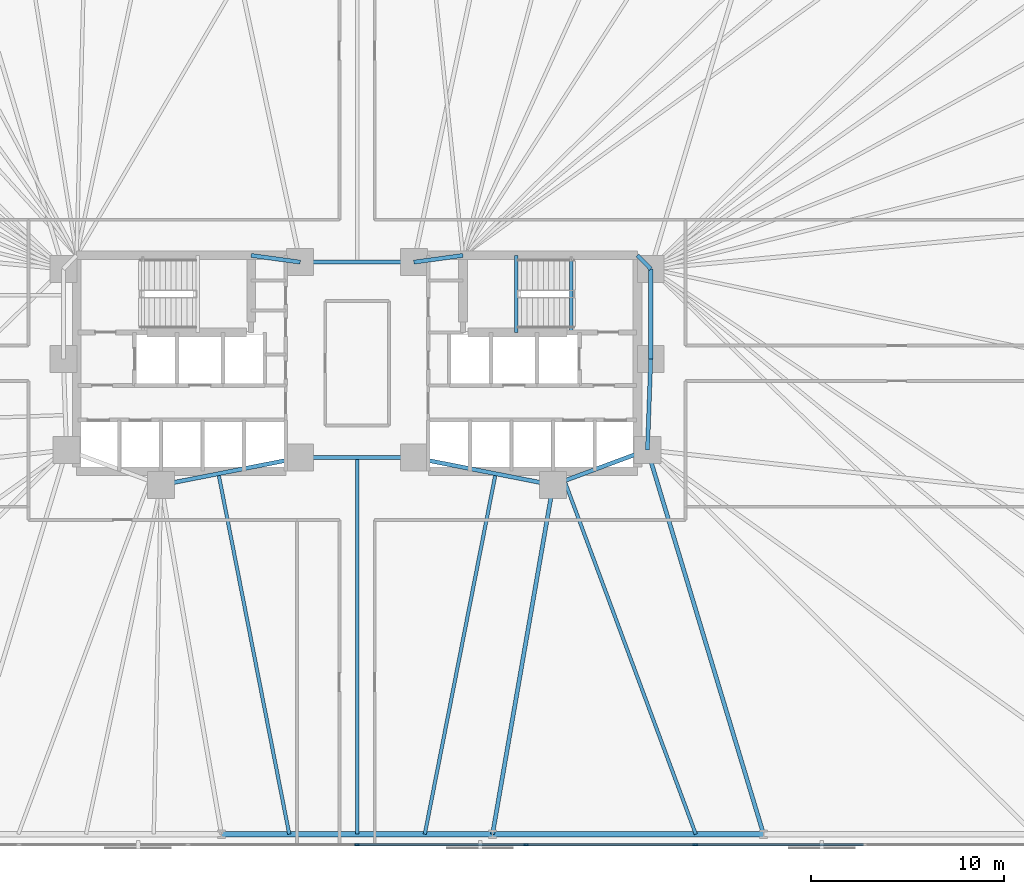
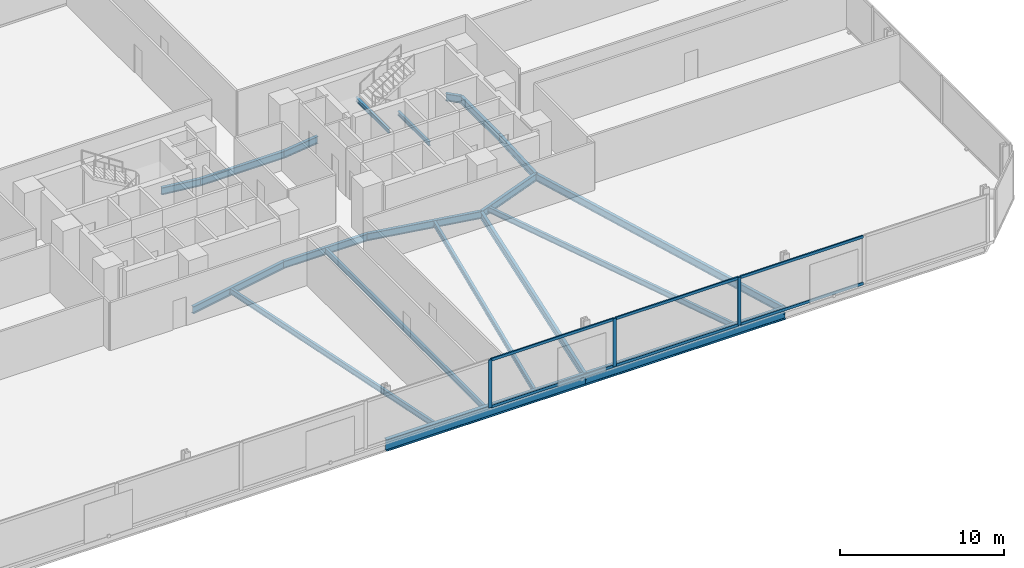
# One storey, part 7 of 16: 20 beams, 9 members, 1 element without a shape of its own.
"""IFC4 building model written with IfcOpenShell, lengths in metres."""

from ifc_helpers import new_model, si_unit, direction, frame, origin, origin_2d, place, context, subcontext, project, spatial, rectangle, i_section, extrude, material, material_profile, profile_set, type_object, element, aggregate, save


model = new_model("IFC4")

# Units and contexts
model_context = context("Model", 3, precision=1e-05, world=origin(), true_north=direction((0.0, 1.0)))
body_context = subcontext(model_context, "Body", "Model", "MODEL_VIEW")
ifc_project = project(units=[si_unit("LENGTHUNIT", "METRE"), si_unit("AREAUNIT", "SQUARE_METRE"), si_unit("VOLUMEUNIT", "CUBIC_METRE"), si_unit("PLANEANGLEUNIT", "RADIAN"), si_unit("MASSUNIT", "GRAM", prefix="KILO")], contexts=[model_context])

# Site, building, storey
site_placement = place(None, origin())
site = spatial("IfcSite", under=ifc_project, at=site_placement, CompositionType="ELEMENT")
building_placement = place(site_placement, origin())
building = spatial("IfcBuilding", under=site, at=building_placement, Name="Menara Jurai Vektor", CompositionType="ELEMENT")
storey_placement = place(building_placement, frame((0.0, 0.0, 67.39990234375)))
storey = spatial("IfcBuildingStorey", under=building, at=storey_placement, Name="L16", CompositionType="ELEMENT", Elevation=67.39990234375)

# Curtain wall, members
ifc_material_1 = material(Name="Anodised Pale Aluminium & Low-E Double Glazing", Category="aluminium")
curtain_wall_type = type_object("IfcCurtainWallType", Name="CW-BLK1", PredefinedType="NOTDEFINED", material=ifc_material_1)
curtain_wall_placement = place(storey_placement, origin())
curtain_wall = element("IfcCurtainWall", 1, at=curtain_wall_placement, inside=storey, type_object=curtain_wall_type, Name="Unitised Curtain Wall L16 F01", PredefinedType="NOTDEFINED")
ifc_material_2 = material(Name="Anodised Pale Aluminium Mullion", Category="aluminium")
ifc_material_profile_1 = material_profile(ifc_material_2, rectangle(XDim=0.094970703125, YDim=0.239990234375, at=origin_2d()), Name="ALU MUL 95x240")
ifc_profile_set_1 = profile_set([ifc_material_profile_1], Name="Anodised Pale Aluminium Mullion")
member_type_1 = type_object("IfcMemberType", Name="CW-BLK1-MUL", PredefinedType="MULLION", material=ifc_profile_set_1)
member_1_placement = place(storey_placement, frame((0.0, -25.0, 0.0), z_axis=(0.0, 0.0, 1.0), x_axis=(0.0, 1.0, 0.0)))
member_1 = element("IfcMember", 2, at=member_1_placement, type_object=member_type_1, Name="CW-01 mullion 5", PredefinedType="MULLION", context=body_context, shape_type="SweptSolid", body=[
    extrude(rectangle(XDim=0.094970703125, YDim=0.239990234375, at=origin_2d()), origin(), (0.0, 0.0, 1.0), 3.5751953125),
])
member_2_placement = place(storey_placement, frame((8.780029296875, -25.0, 0.0), z_axis=(0.0, 0.0, 1.0), x_axis=(0.0, 1.0, 0.0)))
member_2 = element("IfcMember", 3, at=member_2_placement, type_object=member_type_1, Name="CW-01 mullion 6", PredefinedType="MULLION", context=body_context, shape_type="SweptSolid", body=[
    extrude(rectangle(XDim=0.094970703125, YDim=0.239990234375, at=origin_2d()), origin(), (0.0, 0.0, 1.0), 3.5751953125),
])
member_3_placement = place(storey_placement, frame((17.56005859375, -25.0, 0.0), z_axis=(0.0, 0.0, 1.0), x_axis=(0.0, 1.0, 0.0)))
member_3 = element("IfcMember", 4, at=member_3_placement, type_object=member_type_1, Name="CW-01 mullion 7", PredefinedType="MULLION", context=body_context, shape_type="SweptSolid", body=[
    extrude(rectangle(XDim=0.094970703125, YDim=0.239990234375, at=origin_2d()), origin(), (0.0, 0.0, 1.0), 3.5751953125),
])
ifc_material_3 = material(Name="Anodised Pale Aluminium Transom", Category="aluminium")
ifc_material_profile_2 = material_profile(ifc_material_3, rectangle(XDim=0.094970703125, YDim=0.199951171875, at=origin_2d()), Name="ALU TRN 95x200")
ifc_profile_set_2 = profile_set([ifc_material_profile_2], Name="Anodised Pale Aluminium Transom")
member_type_2 = type_object("IfcMemberType", Name="CW-BLK1-TRN", PredefinedType="USERDEFINED", material=ifc_profile_set_2)
member_4_placement = place(storey_placement, frame((0.047607421875, -25.0, 0.047607421875), z_axis=(1.0, 0.0, 0.0), x_axis=(0.0, 1.0, 0.0)))
member_4 = element("IfcMember", 5, at=member_4_placement, type_object=member_type_2, Name="CW-01 transom 5.1", ObjectType="TRANSOM", PredefinedType="USERDEFINED", context=body_context, shape_type="SweptSolid", body=[
    extrude(rectangle(XDim=0.094970703125, YDim=0.199951171875, at=origin_2d()), origin(), (0.0, 0.0, 1.0), 8.684814453125),
])
member_5_placement = place(storey_placement, frame((0.047607421875, -25.0, 3.527587890625), z_axis=(1.0, 0.0, 0.0), x_axis=(0.0, 1.0, 0.0)))
member_5 = element("IfcMember", 6, at=member_5_placement, type_object=member_type_2, Name="CW-01 transom 5.2", ObjectType="TRANSOM", PredefinedType="USERDEFINED", context=body_context, shape_type="SweptSolid", body=[
    extrude(rectangle(XDim=0.094970703125, YDim=0.199951171875, at=origin_2d()), origin(), (0.0, 0.0, 1.0), 8.684814453125),
])
member_6_placement = place(storey_placement, frame((8.827392578125, -25.0, 0.047607421875), z_axis=(1.0, 0.0, 0.0), x_axis=(0.0, 1.0, 0.0)))
member_6 = element("IfcMember", 7, at=member_6_placement, type_object=member_type_2, Name="CW-01 transom 6.1", ObjectType="TRANSOM", PredefinedType="USERDEFINED", context=body_context, shape_type="SweptSolid", body=[
    extrude(rectangle(XDim=0.094970703125, YDim=0.199951171875, at=origin_2d()), origin(), (0.0, 0.0, 1.0), 8.68505859375),
])
member_7_placement = place(storey_placement, frame((8.827392578125, -25.0, 3.527587890625), z_axis=(1.0, 0.0, 0.0), x_axis=(0.0, 1.0, 0.0)))
member_7 = element("IfcMember", 8, at=member_7_placement, type_object=member_type_2, Name="CW-01 transom 6.2", ObjectType="TRANSOM", PredefinedType="USERDEFINED", context=body_context, shape_type="SweptSolid", body=[
    extrude(rectangle(XDim=0.094970703125, YDim=0.199951171875, at=origin_2d()), origin(), (0.0, 0.0, 1.0), 8.68505859375),
])
member_8_placement = place(storey_placement, frame((17.607421875, -25.0, 0.047607421875), z_axis=(1.0, 0.0, 0.0), x_axis=(0.0, 1.0, 0.0)))
member_8 = element("IfcMember", 9, at=member_8_placement, type_object=member_type_2, Name="CW-01 transom 7.1", ObjectType="TRANSOM", PredefinedType="USERDEFINED", context=body_context, shape_type="SweptSolid", body=[
    extrude(rectangle(XDim=0.094970703125, YDim=0.199951171875, at=origin_2d()), origin(), (0.0, 0.0, 1.0), 8.68505859375),
])
member_9_placement = place(storey_placement, frame((17.607421875, -25.0, 3.527587890625), z_axis=(1.0, 0.0, 0.0), x_axis=(0.0, 1.0, 0.0)))
member_9 = element("IfcMember", 10, at=member_9_placement, type_object=member_type_2, Name="CW-01 transom 7.2", ObjectType="TRANSOM", PredefinedType="USERDEFINED", context=body_context, shape_type="SweptSolid", body=[
    extrude(rectangle(XDim=0.094970703125, YDim=0.199951171875, at=origin_2d()), origin(), (0.0, 0.0, 1.0), 8.68505859375),
])
aggregate(curtain_wall, [member_1, member_2, member_3, member_4, member_5, member_6, member_7, member_8, member_9])

# Beams
ifc_material_4 = material(Name="Steel S355", Category="steel")
ifc_material_profile_3 = material_profile(ifc_material_4, i_section(OverallWidth=0.2109375, OverallDepth=0.5390625, WebThickness=0.011962890625, FlangeThickness=0.01904296875, FilletRadius=0.012939453125, at=origin_2d()), Name="UKB 533x210x109")
ifc_profile_set_3 = profile_set([ifc_material_profile_3], Name="Steel S355")
beam_type_1 = type_object("IfcBeamType", Name="STR-BM-533", PredefinedType="BEAM", material=ifc_profile_set_3)
beam_1_placement = place(storey_placement, frame((-5.5, 5.60009765625, -0.494384765625), z_axis=(0.990706818608, -0.136014703483, 0.0), x_axis=(0.136014703483, 0.990706818608, 0.0)))
element("IfcBeam", 11, at=beam_1_placement, inside=storey, type_object=beam_type_1, Name="Core Ring Header Girder L16-CHW-N2", PredefinedType="BEAM", context=body_context, shape_type="SweptSolid", body=[
    extrude(i_section(OverallWidth=0.2109375, OverallDepth=0.5390625, WebThickness=0.011962890625, FlangeThickness=0.01904296875, FilletRadius=0.012939453125, at=origin_2d()), origin(), (0.0, 0.0, 1.0), 2.573974609375),
])
beam_2_placement = place(storey_placement, frame((-10.179931640625, -6.320068359375, -0.494384765625), z_axis=(0.981249044334, 0.192744164614, 0.0), x_axis=(-0.192744164614, 0.981249044334, 0.0)))
element("IfcBeam", 12, at=beam_2_placement, inside=storey, type_object=beam_type_1, Name="Core Ring Header Girder L16-CHW-S2", PredefinedType="BEAM", context=body_context, shape_type="SweptSolid", body=[
    extrude(i_section(OverallWidth=0.2109375, OverallDepth=0.5390625, WebThickness=0.011962890625, FlangeThickness=0.01904296875, FilletRadius=0.012939453125, at=origin_2d()), origin(), (0.0, 0.0, 1.0), 7.3681640625),
])
beam_3_placement = place(storey_placement, frame((2.949951171875, 5.25, -0.494384765625), z_axis=(0.990706818608, 0.136014703483, 0.0), x_axis=(-0.136014703483, 0.990706818608, 0.0)))
element("IfcBeam", 13, at=beam_3_placement, inside=storey, type_object=beam_type_1, Name="Core Ring Header Girder L16-CHE-N1", PredefinedType="BEAM", context=body_context, shape_type="SweptSolid", body=[
    extrude(i_section(OverallWidth=0.2109375, OverallDepth=0.5390625, WebThickness=0.011962890625, FlangeThickness=0.01904296875, FilletRadius=0.012939453125, at=origin_2d()), origin(), (0.0, 0.0, 1.0), 2.573974609375),
])
beam_4_placement = place(storey_placement, frame((14.56005859375, 5.60009765625, -0.494384765625), z_axis=(0.701871936926, -0.712303154672, 0.0), x_axis=(0.712303154672, 0.701871936926, 0.0)))
element("IfcBeam", 14, at=beam_4_placement, inside=storey, type_object=beam_type_1, Name="Core Ring Header Girder L16-CHE-N2", PredefinedType="BEAM", context=body_context, shape_type="SweptSolid", body=[
    extrude(i_section(OverallWidth=0.2109375, OverallDepth=0.5390625, WebThickness=0.011962890625, FlangeThickness=0.01904296875, FilletRadius=0.012939453125, at=origin_2d()), origin(), (0.0, 0.0, 1.0), 0.98291015625),
])
beam_5_placement = place(storey_placement, frame((15.25, 0.219970703125, -0.494384765625), z_axis=(0.0, 1.0, 0.0), x_axis=(-1.0, 0.0, 0.0)))
element("IfcBeam", 15, at=beam_5_placement, inside=storey, type_object=beam_type_1, Name="Core Ring Header Girder L16-CHE-E1", PredefinedType="BEAM", context=body_context, shape_type="SweptSolid", body=[
    extrude(i_section(OverallWidth=0.2109375, OverallDepth=0.5390625, WebThickness=0.011962890625, FlangeThickness=0.01904296875, FilletRadius=0.012939453125, at=origin_2d()), origin(), (0.0, 0.0, 1.0), 4.679931640625),
])
beam_6_placement = place(storey_placement, frame((15.080078125, -4.5, -0.494384765625), z_axis=(0.035977314146, 0.999352606874, 0.0), x_axis=(-0.999352606874, 0.035977314146, 0.0)))
element("IfcBeam", 16, at=beam_6_placement, inside=storey, type_object=beam_type_1, Name="Core Ring Header Girder L16-CHE-E2", PredefinedType="BEAM", context=body_context, shape_type="SweptSolid", body=[
    extrude(i_section(OverallWidth=0.2109375, OverallDepth=0.5390625, WebThickness=0.011962890625, FlangeThickness=0.01904296875, FilletRadius=0.012939453125, at=origin_2d()), origin(), (0.0, 0.0, 1.0), 4.72314453125),
])
beam_7_placement = place(storey_placement, frame((10.179931640625, -6.320068359375, -0.494384765625), z_axis=(0.937424400887, 0.348188874925, 0.0), x_axis=(-0.348188874925, 0.937424400887, 0.0)))
element("IfcBeam", 17, at=beam_7_placement, inside=storey, type_object=beam_type_1, Name="Core Ring Header Girder L16-CHE-S1", PredefinedType="BEAM", context=body_context, shape_type="SweptSolid", body=[
    extrude(i_section(OverallWidth=0.2109375, OverallDepth=0.5390625, WebThickness=0.011962890625, FlangeThickness=0.01904296875, FilletRadius=0.012939453125, at=origin_2d()), origin(), (0.0, 0.0, 1.0), 5.227294921875),
])
beam_8_placement = place(storey_placement, frame((2.949951171875, -4.89990234375, -0.494384765625), z_axis=(0.981249044334, -0.192744164614, 0.0), x_axis=(0.192744164614, 0.981249044334, 0.0)))
element("IfcBeam", 18, at=beam_8_placement, inside=storey, type_object=beam_type_1, Name="Core Ring Header Girder L16-CHE-S2", PredefinedType="BEAM", context=body_context, shape_type="SweptSolid", body=[
    extrude(i_section(OverallWidth=0.2109375, OverallDepth=0.5390625, WebThickness=0.011962890625, FlangeThickness=0.01904296875, FilletRadius=0.012939453125, at=origin_2d()), origin(), (0.0, 0.0, 1.0), 7.3681640625),
])
for number, where, z_axis, x_axis, name in (
    (19, (-2.949951171875, -4.89990234375, -0.494384765625), (1.0, 0.0, 0.0), (0.0, 1.0, 0.0), "Core Ring Header Girder L16-CC-1"),
    (20, (-2.949951171875, 5.25, -0.494384765625), (1.0, 0.0, 0.0), (0.0, 1.0, 0.0), "Core Ring Header Girder L16-CC-2"),
):
    element("IfcBeam", number, at=place(storey_placement, frame(where, z_axis=z_axis, x_axis=x_axis)), inside=storey, type_object=beam_type_1, Name=name, PredefinedType="BEAM", context=body_context, shape_type="SweptSolid", body=[
        extrude(i_section(OverallWidth=0.2109375, OverallDepth=0.5390625, WebThickness=0.011962890625, FlangeThickness=0.01904296875, FilletRadius=0.012939453125, at=origin_2d()), origin(), (0.0, 0.0, 1.0), 5.89990234375),
    ])
beam_9_placement = place(storey_placement, frame((7.03564453125, -24.449951171875, -0.494384765625), z_axis=(0.170880325642, 0.985291791455, 0.0), x_axis=(-0.985291791455, 0.170880325642, 0.0)))
element("IfcBeam", 21, at=beam_9_placement, inside=storey, type_object=beam_type_1, Name="Radial Floor Girder L16-S4", PredefinedType="BEAM", context=body_context, shape_type="SweptSolid", body=[
    extrude(i_section(OverallWidth=0.2109375, OverallDepth=0.5390625, WebThickness=0.011962890625, FlangeThickness=0.01904296875, FilletRadius=0.012939453125, at=origin_2d()), origin(), (0.0, 0.0, 1.0), 18.400634765625),
])
beam_10_placement = place(storey_placement, frame((21.106689453125, -24.449951171875, -0.494384765625), z_axis=(-0.289179812203, 0.957274796604, 0.0), x_axis=(-0.957274796604, -0.289179812203, 0.0)))
element("IfcBeam", 22, at=beam_10_placement, inside=storey, type_object=beam_type_1, Name="Radial Floor Girder L16-S5", PredefinedType="BEAM", context=body_context, shape_type="SweptSolid", body=[
    extrude(i_section(OverallWidth=0.2109375, OverallDepth=0.5390625, WebThickness=0.011962890625, FlangeThickness=0.01904296875, FilletRadius=0.012939453125, at=origin_2d()), origin(), (0.0, 0.0, 1.0), 20.84033203125),
])
ifc_material_profile_4 = material_profile(ifc_material_4, i_section(OverallWidth=0.178955078125, OverallDepth=0.408935546875, WebThickness=0.009033203125, FlangeThickness=0.013916015625, FilletRadius=0.010009765625, at=origin_2d()), Name="UKB 406x178x67")
ifc_profile_set_4 = profile_set([ifc_material_profile_4], Name="Steel S355")
beam_type_2 = type_object("IfcBeamType", Name="STR-JS-406", PredefinedType="JOIST", material=ifc_profile_set_4)
beam_11_placement = place(storey_placement, frame((-3.517822265625, -24.449951171875, -0.429443359375), z_axis=(-0.192723076671, 0.981253186348, 0.0), x_axis=(-0.981253186348, -0.192723076671, 0.0)))
element("IfcBeam", 23, at=beam_11_placement, inside=storey, type_object=beam_type_2, Name="Radial Secondary Floor Joist L16-JS04", PredefinedType="JOIST", context=body_context, shape_type="SweptSolid", body=[
    extrude(i_section(OverallWidth=0.178955078125, OverallDepth=0.408935546875, WebThickness=0.009033203125, FlangeThickness=0.013916015625, FilletRadius=0.010009765625, at=origin_2d()), origin(), (0.0, 0.0, 1.0), 19.07421875),
])
beam_12_placement = place(storey_placement, frame((0.0, -24.449951171875, -0.429443359375), z_axis=(0.0, 1.0, 0.0), x_axis=(-1.0, 0.0, 0.0)))
element("IfcBeam", 24, at=beam_12_placement, inside=storey, type_object=beam_type_2, Name="Radial Secondary Floor Joist L16-JS05", PredefinedType="JOIST", context=body_context, shape_type="SweptSolid", body=[
    extrude(i_section(OverallWidth=0.178955078125, OverallDepth=0.408935546875, WebThickness=0.009033203125, FlangeThickness=0.013916015625, FilletRadius=0.010009765625, at=origin_2d()), origin(), (0.0, 0.0, 1.0), 19.550048828125),
])
beam_13_placement = place(storey_placement, frame((3.517822265625, -24.449951171875, -0.429443359375), z_axis=(0.192723076671, 0.981253186348, 0.0), x_axis=(-0.981253186348, 0.192723076671, 0.0)))
element("IfcBeam", 25, at=beam_13_placement, inside=storey, type_object=beam_type_2, Name="Radial Secondary Floor Joist L16-JS06", PredefinedType="JOIST", context=body_context, shape_type="SweptSolid", body=[
    extrude(i_section(OverallWidth=0.178955078125, OverallDepth=0.408935546875, WebThickness=0.009033203125, FlangeThickness=0.013916015625, FilletRadius=0.010009765625, at=origin_2d()), origin(), (0.0, 0.0, 1.0), 19.07421875),
])
beam_14_placement = place(storey_placement, frame((17.5888671875, -24.449951171875, -0.429443359375), z_axis=(-0.348179014223, 0.937428063403, 0.0), x_axis=(-0.937428063403, -0.348179014223, 0.0)))
element("IfcBeam", 26, at=beam_14_placement, inside=storey, type_object=beam_type_2, Name="Radial Secondary Floor Joist L16-JS07", PredefinedType="JOIST", context=body_context, shape_type="SweptSolid", body=[
    extrude(i_section(OverallWidth=0.178955078125, OverallDepth=0.408935546875, WebThickness=0.009033203125, FlangeThickness=0.013916015625, FilletRadius=0.010009765625, at=origin_2d()), origin(), (0.0, 0.0, 1.0), 19.5751953125),
])
ifc_material_profile_5 = material_profile(ifc_material_4, i_section(OverallWidth=0.1650390625, OverallDepth=0.302978515625, WebThickness=0.006103515625, FlangeThickness=0.010009765625, FilletRadius=0.009033203125, at=origin_2d()), Name="UKB 305x165x40")
ifc_profile_set_5 = profile_set([ifc_material_profile_5], Name="Steel S355")
beam_type_3 = type_object("IfcBeamType", Name="STR-LN-305", PredefinedType="LINTEL", material=ifc_profile_set_5)
beam_15_placement = place(storey_placement, frame((11.1201171875, 1.60009765625, -0.37646484375), z_axis=(0.0, 1.0, 0.0), x_axis=(-1.0, 0.0, 0.0)))
element("IfcBeam", 27, at=beam_15_placement, inside=storey, type_object=beam_type_3, Name="Stair Well Floor Trimmer ST2 L16", PredefinedType="LINTEL", context=body_context, shape_type="SweptSolid", body=[
    extrude(i_section(OverallWidth=0.1650390625, OverallDepth=0.302978515625, WebThickness=0.006103515625, FlangeThickness=0.010009765625, FilletRadius=0.009033203125, at=origin_2d()), origin(), (0.0, 0.0, 1.0), 3.81982421875),
])
beam_16_placement = place(storey_placement, frame((8.27001953125, 1.60009765625, 1.548583984375), z_axis=(0.0, 1.0, 0.0), x_axis=(-1.0, 0.0, 0.0)))
element("IfcBeam", 28, at=beam_16_placement, inside=storey, type_object=beam_type_3, Name="Stair Half-Landing Nosing Trimmer ST2-1 L16", PredefinedType="LINTEL", context=body_context, shape_type="SweptSolid", body=[
    extrude(i_section(OverallWidth=0.1650390625, OverallDepth=0.302978515625, WebThickness=0.006103515625, FlangeThickness=0.010009765625, FilletRadius=0.009033203125, at=origin_2d()), origin(), (0.0, 0.0, 1.0), 4.0),
])
ifc_material_5 = material(Name="Steel S460", Category="steel")
ifc_material_profile_6 = material_profile(ifc_material_5, i_section(OverallWidth=0.2939453125, OverallDepth=0.85107421875, WebThickness=0.01611328125, FlangeThickness=0.027099609375, FilletRadius=0.01806640625, at=origin_2d()), Name="UKB 838x292x226")
ifc_profile_set_6 = profile_set([ifc_material_profile_6], Name="Steel S460")
beam_type_4 = type_object("IfcBeamType", Name="STR-SP-838", PredefinedType="SPANDREL", material=ifc_profile_set_6)
beam_17_placement = place(storey_placement, frame((-7.03564453125, -24.449951171875, -0.650390625), z_axis=(1.0, 0.0, 0.0), x_axis=(0.0, 1.0, 0.0)))
element("IfcBeam", 29, at=beam_17_placement, inside=storey, type_object=beam_type_4, Name="Exoskeleton Spandrel Beam L16-03", PredefinedType="SPANDREL", context=body_context, shape_type="SweptSolid", body=[
    extrude(i_section(OverallWidth=0.2939453125, OverallDepth=0.85107421875, WebThickness=0.01611328125, FlangeThickness=0.027099609375, FilletRadius=0.01806640625, at=origin_2d()), origin(), (0.0, 0.0, 1.0), 14.0712890625),
])
beam_18_placement = place(storey_placement, frame((7.03564453125, -24.449951171875, -0.650390625), z_axis=(1.0, 0.0, 0.0), x_axis=(0.0, 1.0, 0.0)))
element("IfcBeam", 30, at=beam_18_placement, inside=storey, type_object=beam_type_4, Name="Exoskeleton Spandrel Beam L16-04", PredefinedType="SPANDREL", context=body_context, shape_type="SweptSolid", body=[
    extrude(i_section(OverallWidth=0.2939453125, OverallDepth=0.85107421875, WebThickness=0.01611328125, FlangeThickness=0.027099609375, FilletRadius=0.01806640625, at=origin_2d()), origin(), (0.0, 0.0, 1.0), 14.071044921875),
])

save(model, "model.ifc")
